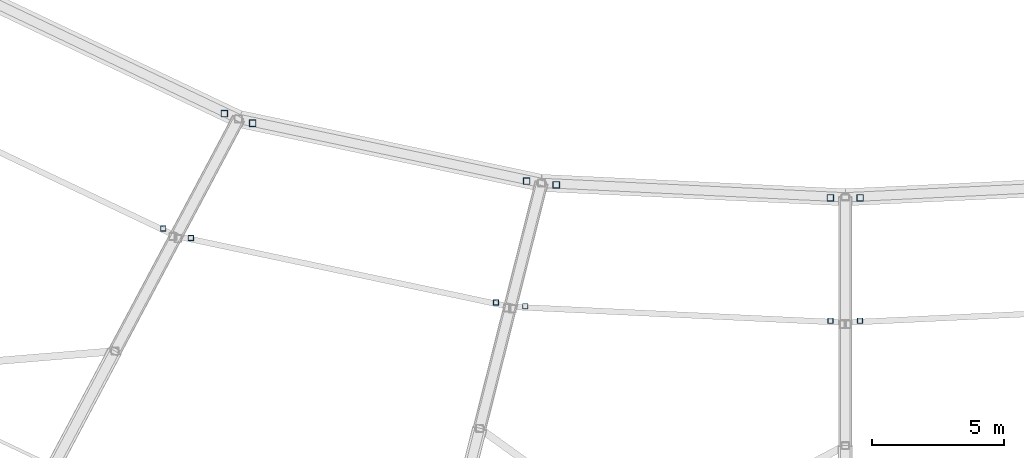
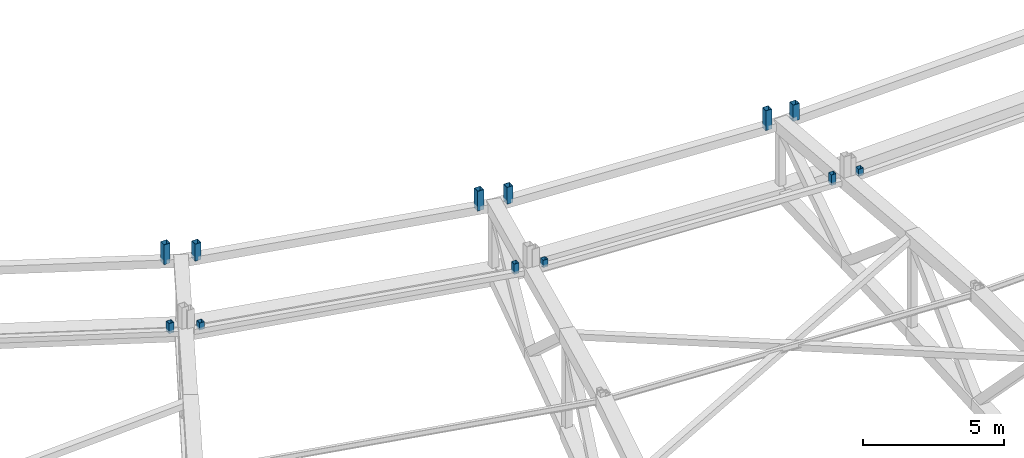
# One storey, part 102 of 162: 12 members.
"""IFC4 building model written with IfcOpenShell, lengths in metres."""

from ifc_helpers import new_model, si_unit, direction, frame, origin, origin_2d, place, context, subcontext, project, spatial, hollow_rectangle, extrude, material, material_profile, profile_set, type_object, element, save


model = new_model("IFC4")

# Units and contexts
model_context = context("Model", 3, precision=1e-05, world=origin(), true_north=direction((0.0, 1.0)))
body_context = subcontext(model_context, "Body", "Model", "MODEL_VIEW")
ifc_project = project(units=[si_unit("LENGTHUNIT", "METRE"), si_unit("AREAUNIT", "SQUARE_METRE"), si_unit("VOLUMEUNIT", "CUBIC_METRE"), si_unit("PLANEANGLEUNIT", "RADIAN"), si_unit("MASSUNIT", "GRAM", prefix="KILO")], contexts=[model_context])

# Site, building, storey
site_placement = place(None, origin())
site = spatial("IfcSite", under=ifc_project, at=site_placement, CompositionType="ELEMENT")
building_placement = place(site_placement, origin())
building = spatial("IfcBuilding", under=site, at=building_placement, Name="Kazemori Nagisa Stadium", CompositionType="ELEMENT")
storey_placement = place(building_placement, frame((0.0, 0.0, 36.719970703125)))
storey = spatial("IfcBuildingStorey", under=building, at=storey_placement, Name="RF", CompositionType="ELEMENT", Elevation=36.719970703125)

# Members
ifc_material = material(Name="Steel STKR490", Category="steel")
ifc_material_profile_1 = material_profile(ifc_material, hollow_rectangle(XDim=0.25, YDim=0.25, WallThickness=0.011962890625, at=origin_2d()), Name="SHS-250x250x12")
ifc_profile_set_1 = profile_set([ifc_material_profile_1], Name="Steel STKR490")
member_type_1 = type_object("IfcMemberType", Name="Member_ST-SHS250", PredefinedType="STUD", material=ifc_profile_set_1)
member_1_placement = place(storey_placement, frame((99.572998046875, 59.149169921875, 5.239990234375), z_axis=(0.0, 0.0, 1.0), x_axis=(1.0, 0.0, 0.0)))
element("IfcMember", 1, at=member_1_placement, inside=storey, type_object=member_type_1, Name="Oculus skylight bearing stool B19-2", PredefinedType="STUD", context=body_context, shape_type="SweptSolid", body=[
    extrude(hollow_rectangle(XDim=0.25, YDim=0.25, WallThickness=0.011962890625, at=origin_2d()), origin(), (0.0, 0.0, 1.0), 0.860107421875),
])
member_2_placement = place(storey_placement, frame((100.634765625, 58.78515625, 5.239990234375), z_axis=(0.0, 0.0, 1.0), x_axis=(1.0, 0.0, 0.0)))
element("IfcMember", 2, at=member_2_placement, inside=storey, type_object=member_type_1, Name="Oculus skylight bearing stool B20-1", PredefinedType="STUD", context=body_context, shape_type="SweptSolid", body=[
    extrude(hollow_rectangle(XDim=0.25, YDim=0.25, WallThickness=0.011962890625, at=origin_2d()), origin(), (0.0, 0.0, 1.0), 0.737060546875),
])
member_3_placement = place(storey_placement, frame((110.97802734375, 56.60302734375, 5.114013671875), z_axis=(0.0, 0.0, 1.0), x_axis=(1.0, 0.0, 0.0)))
element("IfcMember", 3, at=member_3_placement, inside=storey, type_object=member_type_1, Name="Oculus skylight bearing stool B20-2", PredefinedType="STUD", context=body_context, shape_type="SweptSolid", body=[
    extrude(hollow_rectangle(XDim=0.25, YDim=0.25, WallThickness=0.011962890625, at=origin_2d()), origin(), (0.0, 0.0, 1.0), 0.863037109375),
])
member_4_placement = place(storey_placement, frame((112.092041015625, 56.455322265625, 5.114013671875), z_axis=(0.0, 0.0, 1.0), x_axis=(1.0, 0.0, 0.0)))
element("IfcMember", 4, at=member_4_placement, inside=storey, type_object=member_type_1, Name="Oculus skylight bearing stool B21-1", PredefinedType="STUD", context=body_context, shape_type="SweptSolid", body=[
    extrude(hollow_rectangle(XDim=0.25, YDim=0.25, WallThickness=0.011962890625, at=origin_2d()), origin(), (0.0, 0.0, 1.0), 0.72607421875),
])
member_5_placement = place(storey_placement, frame((122.438232421875, 55.968994140625, 4.97998046875), z_axis=(0.0, 0.0, 1.0), x_axis=(1.0, 0.0, 0.0)))
element("IfcMember", 5, at=member_5_placement, inside=storey, type_object=member_type_1, Name="Oculus skylight bearing stool B21-2", PredefinedType="STUD", context=body_context, shape_type="SweptSolid", body=[
    extrude(hollow_rectangle(XDim=0.25, YDim=0.25, WallThickness=0.011962890625, at=origin_2d()), origin(), (0.0, 0.0, 1.0), 0.860107421875),
])
member_6_placement = place(storey_placement, frame((123.561767578125, 55.968994140625, 4.97998046875), z_axis=(0.0, 0.0, 1.0), x_axis=(1.0, 0.0, 0.0)))
element("IfcMember", 6, at=member_6_placement, inside=storey, type_object=member_type_1, Name="Oculus skylight bearing stool B22-1", PredefinedType="STUD", context=body_context, shape_type="SweptSolid", body=[
    extrude(hollow_rectangle(XDim=0.25, YDim=0.25, WallThickness=0.011962890625, at=origin_2d()), origin(), (0.0, 0.0, 1.0), 0.715087890625),
])
ifc_material_profile_2 = material_profile(ifc_material, hollow_rectangle(XDim=0.199951171875, YDim=0.199951171875, WallThickness=0.009033203125, at=origin_2d()), Name="SHS-200x200x9")
ifc_profile_set_2 = profile_set([ifc_material_profile_2], Name="Steel STKR490")
member_type_2 = type_object("IfcMemberType", Name="Member_TS-SHS200", PredefinedType="STRUT", material=ifc_profile_set_2)
member_7_placement = place(storey_placement, frame((97.2607421875, 54.810546875, 5.662109375), z_axis=(0.0, 0.0, 1.0), x_axis=(1.0, 0.0, 0.0)))
element("IfcMember", 7, at=member_7_placement, inside=storey, type_object=member_type_2, Name="Oculus skylight bearing stool B19-3", PredefinedType="STRUT", context=body_context, shape_type="SweptSolid", body=[
    extrude(hollow_rectangle(XDim=0.199951171875, YDim=0.199951171875, WallThickness=0.009033203125, at=origin_2d()), origin(), (0.0, 0.0, 1.0), 0.43798828125),
])
member_8_placement = place(storey_placement, frame((109.8193359375, 52.02001953125, 5.525146484375), z_axis=(0.0, 0.0, 1.0), x_axis=(1.0, 0.0, 0.0)))
element("IfcMember", 8, at=member_8_placement, inside=storey, type_object=member_type_2, Name="Oculus skylight bearing stool B20-3", PredefinedType="STRUT", context=body_context, shape_type="SweptSolid", body=[
    extrude(hollow_rectangle(XDim=0.199951171875, YDim=0.199951171875, WallThickness=0.009033203125, at=origin_2d()), origin(), (0.0, 0.0, 1.0), 0.451904296875),
])
member_9_placement = place(storey_placement, frame((98.30419921875, 54.451171875, 5.662109375), z_axis=(0.0, 0.0, 1.0), x_axis=(1.0, 0.0, 0.0)))
element("IfcMember", 9, at=member_9_placement, inside=storey, type_object=member_type_2, Name="Oculus skylight bearing stool B20-4", PredefinedType="STRUT", context=body_context, shape_type="SweptSolid", body=[
    extrude(hollow_rectangle(XDim=0.199951171875, YDim=0.199951171875, WallThickness=0.009033203125, at=origin_2d()), origin(), (0.0, 0.0, 1.0), 0.31494140625),
])
member_10_placement = place(storey_placement, frame((122.44189453125, 51.33251953125, 5.380126953125), z_axis=(0.0, 0.0, 1.0), x_axis=(1.0, 0.0, 0.0)))
element("IfcMember", 10, at=member_10_placement, inside=storey, type_object=member_type_2, Name="Oculus skylight bearing stool B21-3", PredefinedType="STRUT", context=body_context, shape_type="SweptSolid", body=[
    extrude(hollow_rectangle(XDim=0.199951171875, YDim=0.199951171875, WallThickness=0.009033203125, at=origin_2d()), origin(), (0.0, 0.0, 1.0), 0.4599609375),
])
for number, where, z_axis, x_axis, name in (
    (11, (110.9208984375, 51.874755859375, 5.525146484375), (0.0, 0.0, 1.0), (1.0, 0.0, 0.0), "Oculus skylight bearing stool B21-4"),
    (12, (123.55810546875, 51.33251953125, 5.380126953125), (0.0, 0.0, 1.0), (1.0, 0.0, 0.0), "Oculus skylight bearing stool B22-4"),
):
    element("IfcMember", number, at=place(storey_placement, frame(where, z_axis=z_axis, x_axis=x_axis)), inside=storey, type_object=member_type_2, Name=name, PredefinedType="STRUT", context=body_context, shape_type="SweptSolid", body=[
        extrude(hollow_rectangle(XDim=0.199951171875, YDim=0.199951171875, WallThickness=0.009033203125, at=origin_2d()), origin(), (0.0, 0.0, 1.0), 0.31494140625),
    ])

save(model, "model.ifc")
